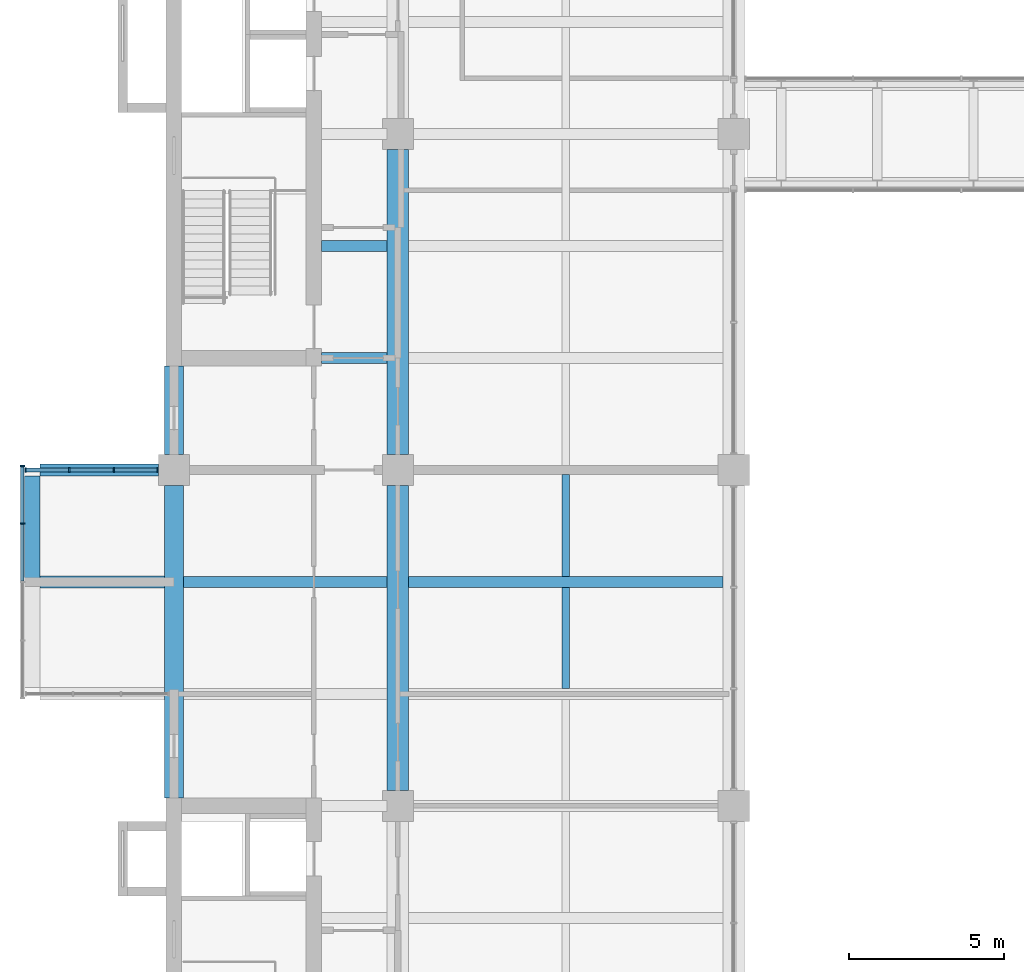
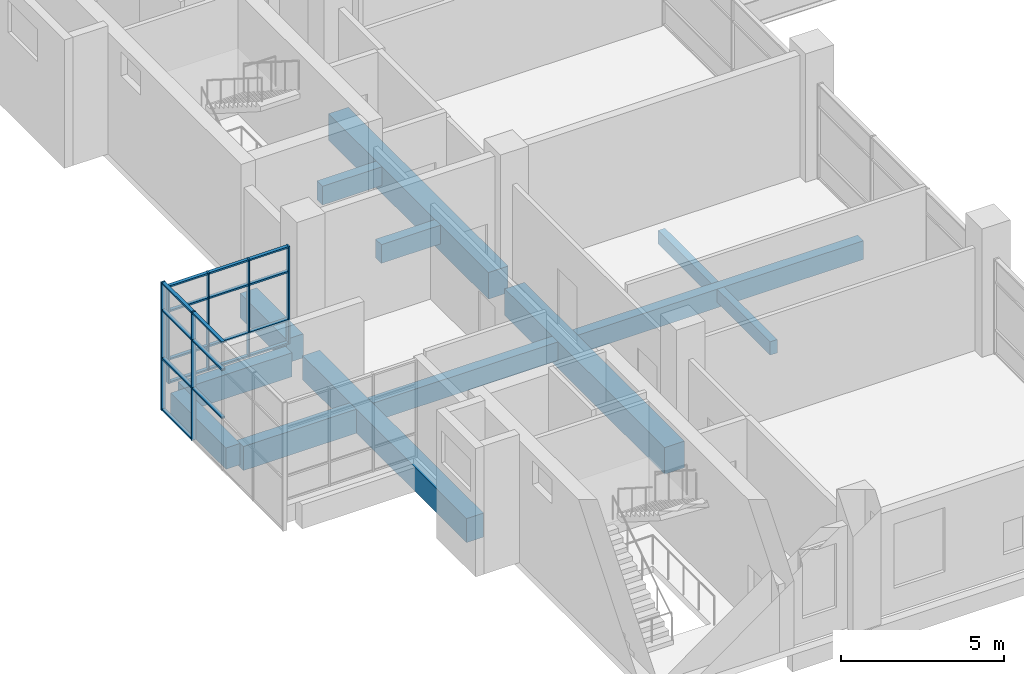
# One storey, part 3 of 35: 25 members, 13 beams, 2 elements without a shape of their own.
"""IFC4 building model written with IfcOpenShell, lengths in metres."""

from ifc_helpers import new_model, si_unit, direction, frame, origin, origin_2d, place, context, subcontext, project, spatial, rectangle, extrude, material, layer, layer_set, material_profile, profile_set, type_object, element, aggregate, save


model = new_model("IFC4")

# Units and contexts
model_context = context("Model", 3, precision=1e-05, world=origin(), true_north=direction((0.0, 1.0)))
body_context = subcontext(model_context, "Body", "Model", "MODEL_VIEW")
ifc_project = project(units=[si_unit("LENGTHUNIT", "METRE"), si_unit("AREAUNIT", "SQUARE_METRE"), si_unit("VOLUMEUNIT", "CUBIC_METRE"), si_unit("PLANEANGLEUNIT", "RADIAN"), si_unit("MASSUNIT", "GRAM", prefix="KILO")], contexts=[model_context])

# Site, building, storey
site_placement = place(None, origin())
site = spatial("IfcSite", under=ifc_project, at=site_placement, CompositionType="ELEMENT")
building_placement = place(site_placement, origin())
building = spatial("IfcBuilding", under=site, at=building_placement, Name="Basin Gate Institute", CompositionType="ELEMENT")
storey_placement = place(building_placement, frame((0.0, 0.0, 31.800048828125)))
storey = spatial("IfcBuildingStorey", under=building, at=storey_placement, Name="L06", CompositionType="ELEMENT", Elevation=31.800048828125)

# Beams
ifc_material_1 = material(Name="Concrete 40 MPa", Category="concrete")
ifc_material_profile_1 = material_profile(ifc_material_1, rectangle(XDim=0.35009765625, YDim=0.699951171875, at=origin_2d()), Name="Beam B1 350 x 700")
ifc_profile_set_1 = profile_set([ifc_material_profile_1], Name="Concrete 40 MPa")
beam_type_1 = type_object("IfcBeamType", Name="Beam B1 R120", PredefinedType="BEAM", material=ifc_profile_set_1)
beam_1_placement = place(storey_placement, frame((68.75, 53.10009765625, -0.60009765625), z_axis=(1.0, 0.0, 0.0), x_axis=(0.0, 1.0, 0.0)))
element("IfcBeam", 1, at=beam_1_placement, inside=storey, type_object=beam_type_1, material=ifc_profile_set_1, Name="BEAM/L06/W/EW/06", PredefinedType="BEAM", context=body_context, shape_type="SweptSolid", body=[
    extrude(rectangle(XDim=0.35009765625, YDim=0.699951171875, at=origin_2d()), origin(), (0.0, 0.0, 1.0), 10.10009765625),
])
beam_2_placement = place(storey_placement, frame((61.5, 53.10009765625, -0.60009765625), z_axis=(1.0, 0.0, 0.0), x_axis=(0.0, 1.0, 0.0)))
element("IfcBeam", 2, at=beam_2_placement, inside=storey, type_object=beam_type_1, material=ifc_profile_set_1, Name="BEAM/L06/W/OUT/06", PredefinedType="BEAM", context=body_context, shape_type="SweptSolid", body=[
    extrude(rectangle(XDim=0.35009765625, YDim=0.699951171875, at=origin_2d()), origin(), (0.0, 0.0, 1.0), 6.550048828125),
])
for number, where, z_axis, x_axis, name in (
    (3, (65.949951171875, 60.300048828125, -0.60009765625), (1.0, 0.0, 0.0), (0.0, 1.0, 0.0), "BEAM/L06/W/CORR/08"),
    (4, (65.949951171875, 63.89990234375, -0.60009765625), (1.0, 0.0, 0.0), (0.0, 1.0, 0.0), "BEAM/L06/W/CORR/09"),
):
    element("IfcBeam", number, at=place(storey_placement, frame(where, z_axis=z_axis, x_axis=x_axis)), inside=storey, type_object=beam_type_1, material=ifc_profile_set_1, Name=name, PredefinedType="BEAM", context=body_context, shape_type="SweptSolid", body=[
        extrude(rectangle(XDim=0.35009765625, YDim=0.699951171875, at=origin_2d()), origin(), (0.0, 0.0, 1.0), 2.10009765625),
    ])
ifc_material_2 = material(Name="Concrete 50 MPa", Category="concrete")
ifc_material_profile_2 = material_profile(ifc_material_2, rectangle(XDim=0.39990234375, YDim=0.89990234375, at=origin_2d()), Name="Cantilever beam B3 400 x 900")
ifc_profile_set_2 = profile_set([ifc_material_profile_2], Name="Concrete 50 MPa")
beam_type_2 = type_object("IfcBeamType", Name="Cantilever beam B3 R120", PredefinedType="BEAM", material=ifc_profile_set_2)
beam_3_placement = place(storey_placement, frame((56.89990234375, 53.10009765625, -0.699951171875), z_axis=(1.0, 0.0, 0.0), x_axis=(0.0, 1.0, 0.0)))
element("IfcBeam", 5, at=beam_3_placement, inside=storey, type_object=beam_type_2, material=ifc_profile_set_2, Name="BEAM/L06/W/CANT/06", PredefinedType="BEAM", context=body_context, shape_type="SweptSolid", body=[
    extrude(rectangle(XDim=0.39990234375, YDim=0.89990234375, at=origin_2d()), origin(), (0.0, 0.0, 1.0), 4.0),
])
beam_4_placement = place(storey_placement, frame((56.89990234375, 56.699951171875, -0.699951171875), z_axis=(1.0, 0.0, 0.0), x_axis=(0.0, 1.0, 0.0)))
element("IfcBeam", 6, at=beam_4_placement, inside=storey, type_object=beam_type_2, material=ifc_profile_set_2, Name="BEAM/L06/W/CANT/07", PredefinedType="BEAM", context=body_context, shape_type="SweptSolid", body=[
    extrude(rectangle(XDim=0.39990234375, YDim=0.89990234375, at=origin_2d()), origin(), (0.0, 0.0, 1.0), 3.800048828125),
])
ifc_material_3 = material(Name="Concrete 50 MPa", Category="concrete")
ifc_material_profile_3 = material_profile(ifc_material_3, rectangle(XDim=0.60009765625, YDim=0.89990234375, at=origin_2d()), Name="Edge beam EB1 600 x 900")
ifc_profile_set_3 = profile_set([ifc_material_profile_3], Name="Concrete 50 MPa")
beam_type_3 = type_object("IfcBeamType", Name="Edge beam EB1 R120", PredefinedType="SPANDREL", material=ifc_profile_set_3)
beam_5_placement = place(storey_placement, frame((61.199951171875, 46.14990234375, -0.699951171875), z_axis=(0.0, 1.0, 0.0), x_axis=(-1.0, 0.0, 0.0)))
element("IfcBeam", 7, at=beam_5_placement, inside=storey, type_object=beam_type_3, material=ifc_profile_set_3, Name="BEAM/L06/W/EDGE/1", PredefinedType="SPANDREL", context=body_context, shape_type="SweptSolid", body=[
    extrude(rectangle(XDim=0.60009765625, YDim=0.89990234375, at=origin_2d()), origin(), (0.0, 0.0, 1.0), 10.050048828125),
])
ifc_material_4 = material(Name="Concrete 50 MPa", Category="concrete")
ifc_material_profile_4 = material_profile(ifc_material_4, rectangle(XDim=0.60009765625, YDim=0.89990234375, at=origin_2d()), Name="Edge return beam EB3 600 x 900")
ifc_profile_set_4 = profile_set([ifc_material_profile_4], Name="Concrete 50 MPa")
beam_type_4 = type_object("IfcBeamType", Name="Edge return beam EB3 R120", PredefinedType="SPANDREL", material=ifc_profile_set_4)
beam_6_placement = place(storey_placement, frame((61.199951171875, 57.199951171875, -0.699951171875), z_axis=(0.0, 1.0, 0.0), x_axis=(-1.0, 0.0, 0.0)))
element("IfcBeam", 8, at=beam_6_placement, inside=storey, type_object=beam_type_4, material=ifc_profile_set_4, Name="BEAM/L06/W/EDGE/2", PredefinedType="SPANDREL", context=body_context, shape_type="SweptSolid", body=[
    extrude(rectangle(XDim=0.60009765625, YDim=0.89990234375, at=origin_2d()), origin(), (0.0, 0.0, 1.0), 2.85009765625),
])
ifc_material_5 = material(Name="Concrete 50 MPa", Category="concrete")
ifc_material_profile_5 = material_profile(ifc_material_5, rectangle(XDim=0.699951171875, YDim=1.0, at=origin_2d()), Name="Girder G1 700 x 1000")
ifc_profile_set_5 = profile_set([ifc_material_profile_5], Name="Concrete 50 MPa")
beam_type_5 = type_object("IfcBeamType", Name="Girder G1 R120", PredefinedType="BEAM", material=ifc_profile_set_5)
for number, where, z_axis, x_axis, name in (
    (9, (68.39990234375, 46.39990234375, -0.75), (0.0, 1.0, 0.0), (-1.0, 0.0, 0.0), "GIR/L06/W5/2"),
    (10, (68.39990234375, 57.199951171875, -0.75), (0.0, 1.0, 0.0), (-1.0, 0.0, 0.0), "GIR/L06/W5/3"),
):
    element("IfcBeam", number, at=place(storey_placement, frame(where, z_axis=z_axis, x_axis=x_axis)), inside=storey, type_object=beam_type_5, material=ifc_profile_set_5, Name=name, PredefinedType="BEAM", context=body_context, shape_type="SweptSolid", body=[
        extrude(rectangle(XDim=0.699951171875, YDim=1.0, at=origin_2d()), origin(), (0.0, 0.0, 1.0), 9.800048828125),
    ])

# Curtain wall, members
ifc_material_6 = material(Name="Aluminium-framed glazing", Category="aluminium")
ifc_layer = layer(ifc_material_6, 0.14990234375)
ifc_layer_set = layer_set([ifc_layer], Name="Capsule front curtain wall CW1")
curtain_wall_type = type_object("IfcCurtainWallType", Name="Capsule front curtain wall CW1", PredefinedType="NOTDEFINED", material=ifc_layer_set)
curtain_wall_1_placement = place(storey_placement, origin())
curtain_wall_1 = element("IfcCurtainWall", 11, at=curtain_wall_1_placement, inside=storey, type_object=curtain_wall_type, material=ifc_layer_set, Name="Capsule front curtain wall W wing capsule end L06 line 7", PredefinedType="NOTDEFINED")
ifc_material_7 = material(Name="Aluminium", Category="aluminium")
ifc_material_profile_6 = material_profile(ifc_material_7, rectangle(XDim=0.14990234375, YDim=0.050048828125, at=origin_2d()), Name="Mullion MU1 150 x 50")
ifc_profile_set_6 = profile_set([ifc_material_profile_6], Name="Aluminium")
member_type_1 = type_object("IfcMemberType", Name="Mullion MU1", PredefinedType="MULLION", material=ifc_profile_set_6)
member_1_placement = place(storey_placement, frame((56.425048828125, 56.699951171875, 0.0), z_axis=(0.0, 0.0, 1.0), x_axis=(0.0, 1.0, 0.0)))
member_1 = element("IfcMember", 12, at=member_1_placement, type_object=member_type_1, material=ifc_profile_set_6, Name="CW1 mullion 1", PredefinedType="MULLION", context=body_context, shape_type="SweptSolid", body=[
    extrude(rectangle(XDim=0.14990234375, YDim=0.050048828125, at=origin_2d()), origin(), (0.0, 0.0, 1.0), 3.64990234375),
])
member_2_placement = place(storey_placement, frame((57.833251953125, 56.699951171875, 0.0), z_axis=(0.0, 0.0, 1.0), x_axis=(0.0, 1.0, 0.0)))
member_2 = element("IfcMember", 13, at=member_2_placement, type_object=member_type_1, material=ifc_profile_set_6, Name="CW1 mullion 2", PredefinedType="MULLION", context=body_context, shape_type="SweptSolid", body=[
    extrude(rectangle(XDim=0.14990234375, YDim=0.050048828125, at=origin_2d()), origin(), (0.0, 0.0, 1.0), 3.64990234375),
])
member_3_placement = place(storey_placement, frame((59.2666015625, 56.699951171875, 0.0), z_axis=(0.0, 0.0, 1.0), x_axis=(0.0, 1.0, 0.0)))
member_3 = element("IfcMember", 14, at=member_3_placement, type_object=member_type_1, material=ifc_profile_set_6, Name="CW1 mullion 3", PredefinedType="MULLION", context=body_context, shape_type="SweptSolid", body=[
    extrude(rectangle(XDim=0.14990234375, YDim=0.050048828125, at=origin_2d()), origin(), (0.0, 0.0, 1.0), 3.64990234375),
])
member_4_placement = place(storey_placement, frame((60.675048828125, 56.699951171875, 0.0), z_axis=(0.0, 0.0, 1.0), x_axis=(0.0, 1.0, 0.0)))
member_4 = element("IfcMember", 15, at=member_4_placement, type_object=member_type_1, material=ifc_profile_set_6, Name="CW1 mullion 4", PredefinedType="MULLION", context=body_context, shape_type="SweptSolid", body=[
    extrude(rectangle(XDim=0.14990234375, YDim=0.050048828125, at=origin_2d()), origin(), (0.0, 0.0, 1.0), 3.64990234375),
])

curtain_wall_2_placement = place(storey_placement, origin())
curtain_wall_2 = element("IfcCurtainWall", 16, at=curtain_wall_2_placement, inside=storey, type_object=curtain_wall_type, material=ifc_layer_set, Name="Capsule front curtain wall W wing capsule 1 L06 front 2", PredefinedType="NOTDEFINED")
member_5_placement = place(storey_placement, frame((56.324951171875, 54.97509765625, -1.050048828125), z_axis=(0.0, 0.0, 1.0), x_axis=(-1.0, 0.0, 0.0)))
member_5 = element("IfcMember", 17, at=member_5_placement, type_object=member_type_1, material=ifc_profile_set_6, Name="CW1 mullion 4", PredefinedType="MULLION", context=body_context, shape_type="SweptSolid", body=[
    extrude(rectangle(XDim=0.14990234375, YDim=0.050048828125, at=origin_2d()), origin(), (0.0, 0.0, 1.0), 4.800048828125),
])
member_6_placement = place(storey_placement, frame((56.324951171875, 56.824951171875, -1.050048828125), z_axis=(0.0, 0.0, 1.0), x_axis=(-1.0, 0.0, 0.0)))
member_6 = element("IfcMember", 18, at=member_6_placement, type_object=member_type_1, material=ifc_profile_set_6, Name="CW1 mullion 5", PredefinedType="MULLION", context=body_context, shape_type="SweptSolid", body=[
    extrude(rectangle(XDim=0.14990234375, YDim=0.050048828125, at=origin_2d()), origin(), (0.0, 0.0, 1.0), 4.800048828125),
])

# Beams
ifc_material_8 = material(Name="Concrete 40 MPa", Category="concrete")
ifc_material_profile_7 = material_profile(ifc_material_8, rectangle(XDim=0.25, YDim=0.5, at=origin_2d()), Name="Rib R1 250 x 500")
ifc_profile_set_7 = profile_set([ifc_material_profile_7], Name="Concrete 40 MPa")
beam_type_6 = type_object("IfcBeamType", Name="Rib R1 R120", PredefinedType="JOIST", material=ifc_profile_set_7)
beam_7_placement = place(storey_placement, frame((73.800048828125, 49.675048828125, -0.5), z_axis=(0.0, 1.0, 0.0), x_axis=(-1.0, 0.0, 0.0)))
element("IfcBeam", 19, at=beam_7_placement, inside=storey, type_object=beam_type_6, material=ifc_profile_set_7, Name="BEAM/L06/W/RIB/05", PredefinedType="JOIST", context=body_context, shape_type="SweptSolid", body=[
    extrude(rectangle(XDim=0.25, YDim=0.5, at=origin_2d()), origin(), (0.0, 0.0, 1.0), 3.25),
])
beam_8_placement = place(storey_placement, frame((73.800048828125, 53.27490234375, -0.5), z_axis=(0.0, 1.0, 0.0), x_axis=(-1.0, 0.0, 0.0)))
element("IfcBeam", 20, at=beam_8_placement, inside=storey, type_object=beam_type_6, material=ifc_profile_set_7, Name="BEAM/L06/W/RIB/06", PredefinedType="JOIST", context=body_context, shape_type="SweptSolid", body=[
    extrude(rectangle(XDim=0.25, YDim=0.5, at=origin_2d()), origin(), (0.0, 0.0, 1.0), 3.275146484375),
])
ifc_material_9 = material(Name="Concrete 50 MPa", Category="concrete")
ifc_material_profile_8 = material_profile(ifc_material_9, rectangle(XDim=0.5, YDim=0.800048828125, at=origin_2d()), Name="Tip beam TB1 500 x 800")
ifc_profile_set_8 = profile_set([ifc_material_profile_8], Name="Concrete 50 MPa")
beam_type_7 = type_object("IfcBeamType", Name="Tip beam TB1 R120", PredefinedType="SPANDREL", material=ifc_profile_set_8)
beam_9_placement = place(storey_placement, frame((56.64990234375, 53.10009765625, -0.650146484375), z_axis=(0.0, 1.0, 0.0), x_axis=(-1.0, 0.0, 0.0)))
element("IfcBeam", 21, at=beam_9_placement, inside=storey, type_object=beam_type_7, material=ifc_profile_set_8, Name="BEAM/L06/W/TIP/3", PredefinedType="SPANDREL", context=body_context, shape_type="SweptSolid", body=[
    extrude(rectangle(XDim=0.5, YDim=0.800048828125, at=origin_2d()), origin(), (0.0, 0.0, 1.0), 3.39990234375),
])

# Member
ifc_material_10 = material(Name="Aluminium", Category="aluminium")
ifc_material_profile_9 = material_profile(ifc_material_10, rectangle(XDim=0.1201171875, YDim=0.06005859375, at=origin_2d()), Name="Transom TR1 120 x 60")
ifc_profile_set_9 = profile_set([ifc_material_profile_9], Name="Aluminium")
member_type_2 = type_object("IfcMemberType", Name="Transom TR1", PredefinedType="USERDEFINED", material=ifc_profile_set_9)
member_7_placement = place(storey_placement, frame((56.449951171875, 56.699951171875, 0.030029296875), z_axis=(1.0, 0.0, 0.0), x_axis=(0.0, 1.0, 0.0)))
member_7 = element("IfcMember", 22, at=member_7_placement, type_object=member_type_2, material=ifc_profile_set_9, Name="CW1 transom 1.1", ObjectType="TRANSOM", PredefinedType="USERDEFINED", context=body_context, shape_type="SweptSolid", body=[
    extrude(rectangle(XDim=0.1201171875, YDim=0.06005859375, at=origin_2d()), origin(), (0.0, 0.0, 1.0), 1.3583984375),
])

member_8_placement = place(storey_placement, frame((56.449951171875, 56.699951171875, 0.89990234375), z_axis=(1.0, 0.0, 0.0), x_axis=(0.0, 1.0, 0.0)))
member_8 = element("IfcMember", 23, at=member_8_placement, type_object=member_type_2, material=ifc_profile_set_9, Name="CW1 transom 1.2", ObjectType="TRANSOM", PredefinedType="USERDEFINED", context=body_context, shape_type="SweptSolid", body=[
    extrude(rectangle(XDim=0.1201171875, YDim=0.06005859375, at=origin_2d()), origin(), (0.0, 0.0, 1.0), 1.3583984375),
])

member_9_placement = place(storey_placement, frame((56.449951171875, 56.699951171875, 2.699951171875), z_axis=(1.0, 0.0, 0.0), x_axis=(0.0, 1.0, 0.0)))
member_9 = element("IfcMember", 24, at=member_9_placement, type_object=member_type_2, material=ifc_profile_set_9, Name="CW1 transom 1.3", ObjectType="TRANSOM", PredefinedType="USERDEFINED", context=body_context, shape_type="SweptSolid", body=[
    extrude(rectangle(XDim=0.1201171875, YDim=0.06005859375, at=origin_2d()), origin(), (0.0, 0.0, 1.0), 1.3583984375),
])

member_10_placement = place(storey_placement, frame((56.449951171875, 56.699951171875, 3.619873046875), z_axis=(1.0, 0.0, 0.0), x_axis=(0.0, 1.0, 0.0)))
member_10 = element("IfcMember", 25, at=member_10_placement, type_object=member_type_2, material=ifc_profile_set_9, Name="CW1 transom 1.4", ObjectType="TRANSOM", PredefinedType="USERDEFINED", context=body_context, shape_type="SweptSolid", body=[
    extrude(rectangle(XDim=0.1201171875, YDim=0.06005859375, at=origin_2d()), origin(), (0.0, 0.0, 1.0), 1.3583984375),
])

member_11_placement = place(storey_placement, frame((57.8583984375, 56.699951171875, 0.030029296875), z_axis=(1.0, 0.0, 0.0), x_axis=(0.0, 1.0, 0.0)))
member_11 = element("IfcMember", 26, at=member_11_placement, type_object=member_type_2, material=ifc_profile_set_9, Name="CW1 transom 2.1", ObjectType="TRANSOM", PredefinedType="USERDEFINED", context=body_context, shape_type="SweptSolid", body=[
    extrude(rectangle(XDim=0.1201171875, YDim=0.06005859375, at=origin_2d()), origin(), (0.0, 0.0, 1.0), 1.38330078125),
])

member_12_placement = place(storey_placement, frame((57.8583984375, 56.699951171875, 0.89990234375), z_axis=(1.0, 0.0, 0.0), x_axis=(0.0, 1.0, 0.0)))
member_12 = element("IfcMember", 27, at=member_12_placement, type_object=member_type_2, material=ifc_profile_set_9, Name="CW1 transom 2.2", ObjectType="TRANSOM", PredefinedType="USERDEFINED", context=body_context, shape_type="SweptSolid", body=[
    extrude(rectangle(XDim=0.1201171875, YDim=0.06005859375, at=origin_2d()), origin(), (0.0, 0.0, 1.0), 1.38330078125),
])

member_13_placement = place(storey_placement, frame((57.8583984375, 56.699951171875, 2.699951171875), z_axis=(1.0, 0.0, 0.0), x_axis=(0.0, 1.0, 0.0)))
member_13 = element("IfcMember", 28, at=member_13_placement, type_object=member_type_2, material=ifc_profile_set_9, Name="CW1 transom 2.3", ObjectType="TRANSOM", PredefinedType="USERDEFINED", context=body_context, shape_type="SweptSolid", body=[
    extrude(rectangle(XDim=0.1201171875, YDim=0.06005859375, at=origin_2d()), origin(), (0.0, 0.0, 1.0), 1.38330078125),
])

member_14_placement = place(storey_placement, frame((57.8583984375, 56.699951171875, 3.619873046875), z_axis=(1.0, 0.0, 0.0), x_axis=(0.0, 1.0, 0.0)))
member_14 = element("IfcMember", 29, at=member_14_placement, type_object=member_type_2, material=ifc_profile_set_9, Name="CW1 transom 2.4", ObjectType="TRANSOM", PredefinedType="USERDEFINED", context=body_context, shape_type="SweptSolid", body=[
    extrude(rectangle(XDim=0.1201171875, YDim=0.06005859375, at=origin_2d()), origin(), (0.0, 0.0, 1.0), 1.38330078125),
])

member_15_placement = place(storey_placement, frame((59.291748046875, 56.699951171875, 0.030029296875), z_axis=(1.0, 0.0, 0.0), x_axis=(0.0, 1.0, 0.0)))
member_15 = element("IfcMember", 30, at=member_15_placement, type_object=member_type_2, material=ifc_profile_set_9, Name="CW1 transom 3.1", ObjectType="TRANSOM", PredefinedType="USERDEFINED", context=body_context, shape_type="SweptSolid", body=[
    extrude(rectangle(XDim=0.1201171875, YDim=0.06005859375, at=origin_2d()), origin(), (0.0, 0.0, 1.0), 1.358154296875),
])

member_16_placement = place(storey_placement, frame((59.291748046875, 56.699951171875, 0.89990234375), z_axis=(1.0, 0.0, 0.0), x_axis=(0.0, 1.0, 0.0)))
member_16 = element("IfcMember", 31, at=member_16_placement, type_object=member_type_2, material=ifc_profile_set_9, Name="CW1 transom 3.2", ObjectType="TRANSOM", PredefinedType="USERDEFINED", context=body_context, shape_type="SweptSolid", body=[
    extrude(rectangle(XDim=0.1201171875, YDim=0.06005859375, at=origin_2d()), origin(), (0.0, 0.0, 1.0), 1.358154296875),
])

member_17_placement = place(storey_placement, frame((59.291748046875, 56.699951171875, 2.699951171875), z_axis=(1.0, 0.0, 0.0), x_axis=(0.0, 1.0, 0.0)))
member_17 = element("IfcMember", 32, at=member_17_placement, type_object=member_type_2, material=ifc_profile_set_9, Name="CW1 transom 3.3", ObjectType="TRANSOM", PredefinedType="USERDEFINED", context=body_context, shape_type="SweptSolid", body=[
    extrude(rectangle(XDim=0.1201171875, YDim=0.06005859375, at=origin_2d()), origin(), (0.0, 0.0, 1.0), 1.358154296875),
])

member_18_placement = place(storey_placement, frame((59.291748046875, 56.699951171875, 3.619873046875), z_axis=(1.0, 0.0, 0.0), x_axis=(0.0, 1.0, 0.0)))
member_18 = element("IfcMember", 33, at=member_18_placement, type_object=member_type_2, material=ifc_profile_set_9, Name="CW1 transom 3.4", ObjectType="TRANSOM", PredefinedType="USERDEFINED", context=body_context, shape_type="SweptSolid", body=[
    extrude(rectangle(XDim=0.1201171875, YDim=0.06005859375, at=origin_2d()), origin(), (0.0, 0.0, 1.0), 1.358154296875),
])

aggregate(curtain_wall_1, [member_1, member_2, member_3, member_4, member_7, member_8, member_9, member_10, member_11, member_12, member_13, member_14, member_15, member_16, member_17, member_18])

member_19_placement = place(storey_placement, frame((56.324951171875, 53.125, 0.89990234375), z_axis=(0.0, 1.0, 0.0), x_axis=(-1.0, 0.0, 0.0)))
member_19 = element("IfcMember", 34, at=member_19_placement, type_object=member_type_2, material=ifc_profile_set_9, Name="CW1 transom 3.2", ObjectType="TRANSOM", PredefinedType="USERDEFINED", context=body_context, shape_type="SweptSolid", body=[
    extrude(rectangle(XDim=0.1201171875, YDim=0.06005859375, at=origin_2d()), origin(), (0.0, 0.0, 1.0), 1.824951171875),
])

member_20_placement = place(storey_placement, frame((56.324951171875, 53.125, 2.699951171875), z_axis=(0.0, 1.0, 0.0), x_axis=(-1.0, 0.0, 0.0)))
member_20 = element("IfcMember", 35, at=member_20_placement, type_object=member_type_2, material=ifc_profile_set_9, Name="CW1 transom 3.3", ObjectType="TRANSOM", PredefinedType="USERDEFINED", context=body_context, shape_type="SweptSolid", body=[
    extrude(rectangle(XDim=0.1201171875, YDim=0.06005859375, at=origin_2d()), origin(), (0.0, 0.0, 1.0), 1.824951171875),
])

member_21_placement = place(storey_placement, frame((56.324951171875, 53.125, 3.719970703125), z_axis=(0.0, 1.0, 0.0), x_axis=(-1.0, 0.0, 0.0)))
member_21 = element("IfcMember", 36, at=member_21_placement, type_object=member_type_2, material=ifc_profile_set_9, Name="CW1 transom 3.4", ObjectType="TRANSOM", PredefinedType="USERDEFINED", context=body_context, shape_type="SweptSolid", body=[
    extrude(rectangle(XDim=0.1201171875, YDim=0.06005859375, at=origin_2d()), origin(), (0.0, 0.0, 1.0), 1.824951171875),
])

member_22_placement = place(storey_placement, frame((56.324951171875, 55.0, -1.02001953125), z_axis=(0.0, 1.0, 0.0), x_axis=(-1.0, 0.0, 0.0)))
member_22 = element("IfcMember", 37, at=member_22_placement, type_object=member_type_2, material=ifc_profile_set_9, Name="CW1 transom 4.1", ObjectType="TRANSOM", PredefinedType="USERDEFINED", context=body_context, shape_type="SweptSolid", body=[
    extrude(rectangle(XDim=0.1201171875, YDim=0.06005859375, at=origin_2d()), origin(), (0.0, 0.0, 1.0), 1.800048828125),
])

member_23_placement = place(storey_placement, frame((56.324951171875, 55.0, 0.89990234375), z_axis=(0.0, 1.0, 0.0), x_axis=(-1.0, 0.0, 0.0)))
member_23 = element("IfcMember", 38, at=member_23_placement, type_object=member_type_2, material=ifc_profile_set_9, Name="CW1 transom 4.2", ObjectType="TRANSOM", PredefinedType="USERDEFINED", context=body_context, shape_type="SweptSolid", body=[
    extrude(rectangle(XDim=0.1201171875, YDim=0.06005859375, at=origin_2d()), origin(), (0.0, 0.0, 1.0), 1.800048828125),
])

member_24_placement = place(storey_placement, frame((56.324951171875, 55.0, 2.699951171875), z_axis=(0.0, 1.0, 0.0), x_axis=(-1.0, 0.0, 0.0)))
member_24 = element("IfcMember", 39, at=member_24_placement, type_object=member_type_2, material=ifc_profile_set_9, Name="CW1 transom 4.3", ObjectType="TRANSOM", PredefinedType="USERDEFINED", context=body_context, shape_type="SweptSolid", body=[
    extrude(rectangle(XDim=0.1201171875, YDim=0.06005859375, at=origin_2d()), origin(), (0.0, 0.0, 1.0), 1.800048828125),
])

member_25_placement = place(storey_placement, frame((56.324951171875, 55.0, 3.719970703125), z_axis=(0.0, 1.0, 0.0), x_axis=(-1.0, 0.0, 0.0)))
member_25 = element("IfcMember", 40, at=member_25_placement, type_object=member_type_2, material=ifc_profile_set_9, Name="CW1 transom 4.4", ObjectType="TRANSOM", PredefinedType="USERDEFINED", context=body_context, shape_type="SweptSolid", body=[
    extrude(rectangle(XDim=0.1201171875, YDim=0.06005859375, at=origin_2d()), origin(), (0.0, 0.0, 1.0), 1.800048828125),
])

aggregate(curtain_wall_2, [member_5, member_6, member_19, member_20, member_21, member_22, member_23, member_24, member_25])

save(model, "model.ifc")
